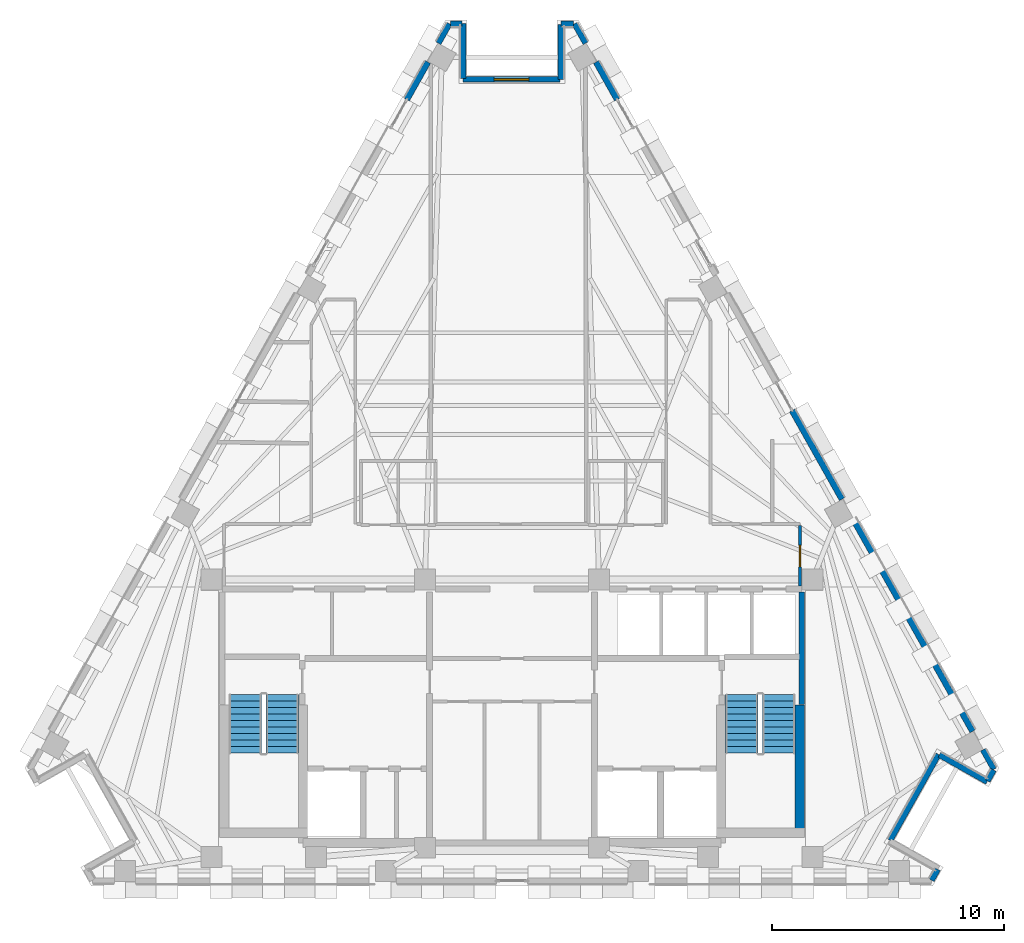
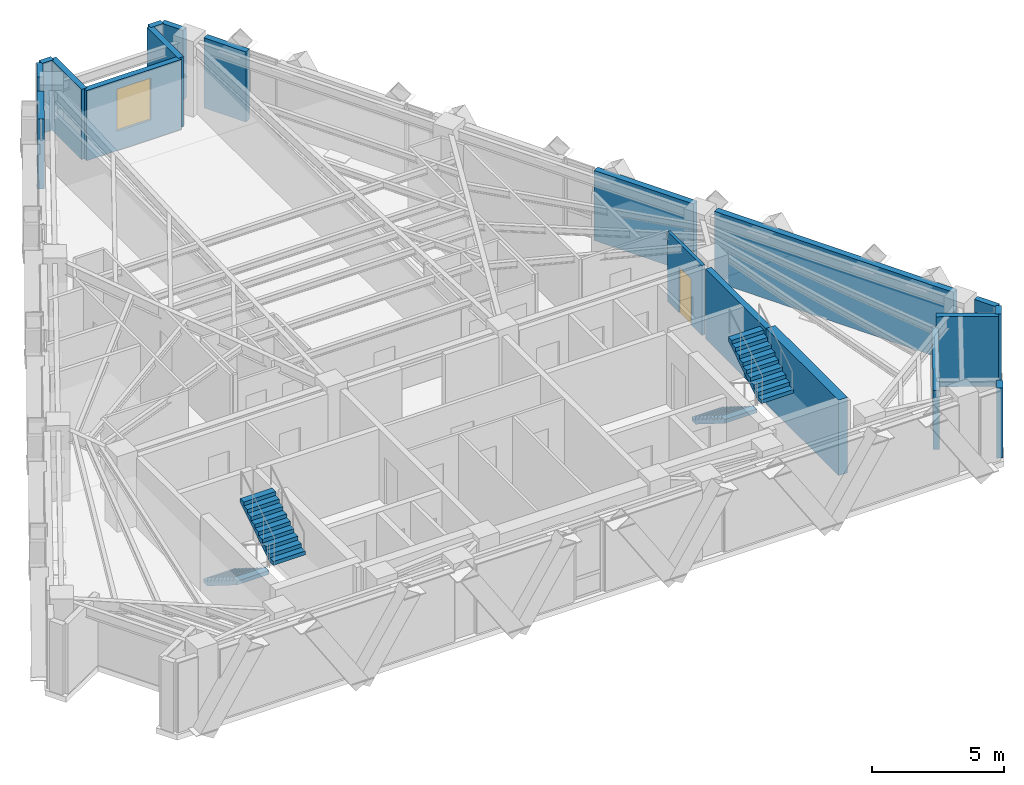
# One storey, part 9 of 12: 19 walls, 4 stair flights, 1 door, 1 window, 2 openings, 2 elements without a shape of their own.
"""IFC4 building model written with IfcOpenShell, lengths in metres."""

from ifc_helpers import new_model, si_unit, direction, frame, frame_2d, origin, place, context, subcontext, project, spatial, polyline, rectangle, outline, extrude, material, layer, layer_set, type_object, element, fill, aggregate, save


model = new_model("IFC4")

# Units and contexts
model_context = context("Model", 3, precision=1e-05, world=origin(), true_north=direction((0.0, 1.0)))
body_context = subcontext(model_context, "Body", "Model", "MODEL_VIEW")
ifc_project = project(units=[si_unit("LENGTHUNIT", "METRE"), si_unit("AREAUNIT", "SQUARE_METRE"), si_unit("VOLUMEUNIT", "CUBIC_METRE"), si_unit("PLANEANGLEUNIT", "RADIAN"), si_unit("MASSUNIT", "GRAM", prefix="KILO")], contexts=[model_context])

# Site, building, storey
site_placement = place(None, origin())
site = spatial("IfcSite", under=ifc_project, at=site_placement, CompositionType="ELEMENT")
building_placement = place(site_placement, origin())
building = spatial("IfcBuilding", under=site, at=building_placement, Name="Quenlor Broadcast Tower", CompositionType="ELEMENT")
storey_placement = place(building_placement, frame((0.0, 0.0, 200.89990234375)))
storey = spatial("IfcBuildingStorey", under=building, at=storey_placement, Name="L55", CompositionType="ELEMENT", Elevation=200.89990234375)

# Walls
ifc_material_1 = material(Name="Concrete C50/60", Category="concrete")
ifc_layer_1 = layer(ifc_material_1, 0.39990234375)
ifc_layer_set_1 = layer_set([ifc_layer_1], Name="Core Concrete C50/60 Shear Wall 400")
wall_type_1 = type_object("IfcWallType", Name="Core Concrete C50/60 Shear Wall 400", PredefinedType="SHEAR", material=ifc_layer_set_1)
wall_1_placement = place(storey_placement, frame((12.39990234375, -15.699951171875, 0.0), z_axis=(0.0, 0.0, 1.0), x_axis=(0.0, 1.0, 0.0)))
element("IfcWall", 1, at=wall_1_placement, inside=storey, type_object=wall_type_1, Name="L55 Core Shear Wall WF-E", PredefinedType="SHEAR", context=body_context, shape_type="SweptSolid", body=[
    extrude(rectangle(XDim=5.5, YDim=0.39990234375, at=frame_2d((2.75, 0.0))), origin(), (0.0, 0.0, 1.0), 3.5),
])
ifc_material_2 = material(Name="Concrete C40/50", Category="concrete")
ifc_layer_2 = layer(ifc_material_2, 0.25)
ifc_layer_set_2 = layer_set([ifc_layer_2], Name="Fire Rated Concrete C40/50 Core Wall 250")
wall_type_2 = type_object("IfcWallType", Name="Fire Rated Concrete C40/50 Core Wall 250", PredefinedType="PARTITIONING", material=ifc_layer_set_2)
wall_2_placement = place(storey_placement, frame((12.47998046875, -10.179931640625, 0.0), z_axis=(0.0, 0.0, 1.0), x_axis=(0.0, 1.0, 0.0)))
element("IfcWall", 2, at=wall_2_placement, inside=storey, type_object=wall_type_2, Name="L55 Interior Wall CW-ST2-E2", PredefinedType="PARTITIONING", context=body_context, shape_type="SweptSolid", body=[
    extrude(rectangle(XDim=4.83984375, YDim=0.25, at=frame_2d((2.419921875, 0.0))), origin(), (0.0, 0.0, 1.0), 3.25),
])

# Wall, opening, door
ifc_material_3 = material(Name="Gypsum Plasterboard Partition", Category="other")
ifc_layer_3 = layer(ifc_material_3, 0.1201171875)
ifc_layer_set_3 = layer_set([ifc_layer_3], Name="Standard Office Partition 120")
wall_type_3 = type_object("IfcWallType", Name="Standard Office Partition 120", PredefinedType="PARTITIONING", material=ifc_layer_set_3)
wall_3_placement = place(storey_placement, frame((12.409912109375, -2.4619140625, 0.0), z_axis=(0.0, 0.0, 1.0), x_axis=(0.0, -1.0, 0.0)))
wall_3 = element("IfcWall", 3, at=wall_3_placement, inside=storey, type_object=wall_type_3, Name="L55 Interior Wall PW-CR-13", PredefinedType="PARTITIONING", context=body_context, shape_type="SweptSolid", body=[
    extrude(rectangle(XDim=2.611083984375, YDim=0.1201171875, at=frame_2d((1.3056640625, 0.0))), origin(), (0.0, 0.0, 1.0), 3.25),
])
opening_1_placement = place(wall_3_placement, frame((0.863037109375, 0.0, 0.0)))
opening_1 = element("IfcOpeningElement", 4, at=opening_1_placement, cuts=wall_3, Name="Opening ID-1", PredefinedType="OPENING", context=body_context, shape_type="SweptSolid", body=[
    extrude(rectangle(XDim=0.919921875, YDim=2.1201171875, at=frame_2d((0.4599609375, 1.06005859375))), frame((0.0, 0.070068359375, 0.0), z_axis=(0.0, -1.0, 0.0), x_axis=(1.0, 0.0, 0.0)), (0.0, 0.0, 1.0), 0.14013671875),
])
ifc_material_4 = material(Name="Solid Core Timber Oak", Category="wood")
door_type = type_object("IfcDoorType", Name="Single Leaf Timber Office Door 920x2120", OperationType="NOTDEFINED", PredefinedType="DOOR", material=ifc_material_4)
door_placement = place(opening_1_placement, origin())
door = element("IfcDoor", 5, at=door_placement, inside=storey, type_object=door_type, Name="L55 Door DR-RM08", OperationType="SINGLE_SWING_LEFT", OverallHeight=2.1201171875, OverallWidth=0.919921875, PredefinedType="DOOR", context=body_context, shape_type="SweptSolid", body=[
    extrude(rectangle(XDim=0.919921875, YDim=2.1201171875, at=frame_2d((0.4599609375, 1.06005859375))), frame((0.0, 0.02490234375, 0.0), z_axis=(0.0, -1.0, 0.0), x_axis=(1.0, 0.0, 0.0)), (0.0, 0.0, 1.0), 0.050048828125),
])
fill(opening_1, door)

# Walls
ifc_material_5 = material(Name="Precast concrete C40/50", Category="concrete")
ifc_layer_4 = layer(ifc_material_5, 0.239990234375)
ifc_layer_set_4 = layer_set([ifc_layer_4], Name="Terrace Threshold Precast Concrete C40/50 Wall 240")
wall_type_4 = type_object("IfcWallType", Name="Terrace Threshold Precast Concrete C40/50 Wall 240", PredefinedType="STANDARD", material=ifc_layer_set_4)
for number, where, z_axis, x_axis, name in (
    (6, (2.6953125, 19.1494140625, 0.0), (0.0, 0.0, 1.0), (0.490345412687, -0.87152818443, 0.0), "L55 Exterior Wall L55-SHD-NES0"),
    (7, (20.289794921875, -12.1298828125, 0.0), (0.0, 0.0, 1.0), (0.490345412687, -0.87152818443, 0.0), "L55 Exterior Wall L55-SHD-NES1"),
    (8, (-3.16796875, 18.309326171875, 0.0), (0.0, 0.0, 1.0), (0.490345412687, 0.87152818443, 0.0), "L55 Exterior Wall L55-SHD-NWS1"),
):
    element("IfcWall", number, at=place(storey_placement, frame(where, z_axis=z_axis, x_axis=x_axis)), inside=storey, type_object=wall_type_4, Name=name, PredefinedType="STANDARD", context=body_context, shape_type="SweptSolid", body=[
        extrude(rectangle(XDim=0.9638671875, YDim=0.239990234375, at=frame_2d((0.48193359375, 0.0))), origin(), (0.0, 0.0, 1.0), 3.25),
    ])
wall_4_placement = place(storey_placement, frame((16.293701171875, -16.035400390625, 0.0), z_axis=(0.0, 0.0, 1.0), x_axis=(0.49027487746, 0.871567865706, 0.0)))
element("IfcWall", 9, at=wall_4_placement, inside=storey, type_object=wall_type_4, Name="L55 Exterior Wall L55-CNR-02", PredefinedType="STANDARD", context=body_context, shape_type="SweptSolid", body=[
    extrude(rectangle(XDim=4.249755859375, YDim=0.239990234375, at=frame_2d((2.125, 0.0))), origin(), (0.0, 0.0, 1.0), 2.721923828125),
])
wall_5_placement = place(storey_placement, frame((18.412109375, -12.351318359375, 0.0), z_axis=(0.0, 0.0, 1.0), x_axis=(0.871578299909, -0.490256327984, 0.0)))
element("IfcWall", 10, at=wall_5_placement, inside=storey, type_object=wall_type_4, Name="L55 Exterior Wall L55-CNR-03", PredefinedType="STANDARD", context=body_context, shape_type="SweptSolid", body=[
    extrude(rectangle(XDim=2.35986328125, YDim=0.239990234375, at=frame_2d((1.179931640625, 0.0))), origin(), (0.0, 0.0, 1.0), 3.25),
])
wall_6_placement = place(storey_placement, frame((20.48876953125, -13.473388671875, 0.0), z_axis=(0.0, 0.0, 1.0), x_axis=(0.490133374867, 0.87164744871, 0.0)))
element("IfcWall", 11, at=wall_6_placement, inside=storey, type_object=wall_type_4, Name="L55 Exterior Wall L55-CNR-04", PredefinedType="STANDARD", context=body_context, shape_type="SweptSolid", body=[
    extrude(rectangle(XDim=0.5439453125, YDim=0.239990234375, at=frame_2d((0.27197265625, 0.0))), origin(), (0.0, 0.0, 1.0), 3.25),
])
wall_7_placement = place(storey_placement, frame((2.658447265625, 19.152099609375, 0.0), z_axis=(0.0, 0.0, 1.0), x_axis=(-1.0, 0.0, 0.0)))
element("IfcWall", 12, at=wall_7_placement, inside=storey, type_object=wall_type_4, Name="L55 Exterior Wall L55-CNR-06", PredefinedType="STANDARD", context=body_context, shape_type="SweptSolid", body=[
    extrude(rectangle(XDim=0.55224609375, YDim=0.239990234375, at=frame_2d((0.276123046875, 0.0))), origin(), (0.0, 0.0, 1.0), 3.25),
])
wall_8_placement = place(storey_placement, frame((2.106201171875, 19.112060546875, 0.0), z_axis=(0.0, 0.0, 1.0), x_axis=(0.0, -1.0, 0.0)))
element("IfcWall", 13, at=wall_8_placement, inside=storey, type_object=wall_type_4, Name="L55 Exterior Wall L55-CNR-07", PredefinedType="STANDARD", context=body_context, shape_type="SweptSolid", body=[
    extrude(rectangle(XDim=2.360107421875, YDim=0.239990234375, at=frame_2d((1.18017578125, 0.0))), origin(), (0.0, 0.0, 1.0), 3.25),
])

# Wall, opening, window
wall_9_placement = place(storey_placement, frame((2.066162109375, 16.751953125, 0.0), z_axis=(0.0, 0.0, 1.0), x_axis=(-1.0, 0.0, 0.0)))
wall_9 = element("IfcWall", 14, at=wall_9_placement, inside=storey, type_object=wall_type_4, Name="L55 Exterior Wall L55-CNR-08", PredefinedType="STANDARD", context=body_context, shape_type="SweptSolid", body=[
    extrude(rectangle(XDim=4.17236328125, YDim=0.239990234375, at=frame_2d((2.086181640625, 0.0))), origin(), (0.0, 0.0, 1.0), 3.25),
])
opening_2_placement = place(wall_9_placement, frame((1.3359375, 0.0, 0.89990234375)))
opening_2 = element("IfcOpeningElement", 15, at=opening_2_placement, cuts=wall_9, Name="Opening WN-3", PredefinedType="OPENING", context=body_context, shape_type="SweptSolid", body=[
    extrude(rectangle(XDim=1.5, YDim=1.949951171875, at=frame_2d((0.75, 0.97509765625))), frame((0.0, 0.1298828125, 0.0), z_axis=(0.0, -1.0, 0.0), x_axis=(1.0, 0.0, 0.0)), (0.0, 0.0, 1.0), 0.260009765625),
])
ifc_material_6 = material(Name="Thermally Broken Aluminium and Low-E Glass", Category="aluminium")
window_type = type_object("IfcWindowType", Name="Upper Tower Facade Window 1500x1950", PartitioningType="SINGLE_PANEL", PredefinedType="WINDOW", material=ifc_material_6)
window_placement = place(opening_2_placement, origin())
window = element("IfcWindow", 16, at=window_placement, inside=storey, type_object=window_type, Name="L55 Corner Chamfer Window 8", OverallHeight=1.949951171875, OverallWidth=1.5, PartitioningType="SINGLE_PANEL", PredefinedType="WINDOW", context=body_context, shape_type="SweptSolid", body=[
    extrude(rectangle(XDim=1.5, YDim=1.949951171875, at=frame_2d((0.75, 0.97509765625))), frame((0.0, 0.030029296875, 0.0), z_axis=(0.0, -1.0, 0.0), x_axis=(1.0, 0.0, 0.0)), (0.0, 0.0, 1.0), 0.06005859375),
])
fill(opening_2, window)

# Walls
wall_10_placement = place(storey_placement, frame((-2.106201171875, 16.7919921875, 0.0), z_axis=(0.0, 0.0, 1.0), x_axis=(0.0, 1.0, 0.0)))
element("IfcWall", 17, at=wall_10_placement, inside=storey, type_object=wall_type_4, Name="L55 Exterior Wall L55-CNR-09", PredefinedType="STANDARD", context=body_context, shape_type="SweptSolid", body=[
    extrude(rectangle(XDim=2.360107421875, YDim=0.239990234375, at=frame_2d((1.18017578125, 0.0))), origin(), (0.0, 0.0, 1.0), 3.25),
])
wall_11_placement = place(storey_placement, frame((-2.146240234375, 19.152099609375, 0.0), z_axis=(0.0, 0.0, 1.0), x_axis=(-1.0, 0.0, 0.0)))
element("IfcWall", 18, at=wall_11_placement, inside=storey, type_object=wall_type_4, Name="L55 Exterior Wall L55-CNR-10", PredefinedType="STANDARD", context=body_context, shape_type="SweptSolid", body=[
    extrude(rectangle(XDim=0.51220703125, YDim=0.239990234375, at=frame_2d((0.256103515625, 0.0))), origin(), (0.0, 0.0, 1.0), 3.25),
])
wall_12_placement = place(storey_placement, frame((18.081298828125, -17.752685546875, 0.0), z_axis=(0.0, 0.0, 1.0), x_axis=(0.490582915772, 0.871394516136, 0.0)))
element("IfcWall", 19, at=wall_12_placement, inside=storey, type_object=wall_type_4, Name="L55 Exterior Wall L55-CNR-18", PredefinedType="STANDARD", context=body_context, shape_type="SweptSolid", body=[
    extrude(rectangle(XDim=0.54052734375, YDim=0.239990234375, at=frame_2d((0.270263671875, 0.0))), origin(), (0.0, 0.0, 1.0), 3.25),
])
ifc_material_7 = material(Name="Precast concrete C40/50", Category="concrete")
ifc_layer_5 = layer(ifc_material_7, 0.260009765625)
ifc_layer_set_5 = layer_set([ifc_layer_5], Name="Terracotta Precast Concrete C40/50 Upper Wall 260")
wall_type_5 = type_object("IfcWallType", Name="Terracotta Precast Concrete C40/50 Upper Wall 260", PredefinedType="STANDARD", material=ifc_layer_set_5)
wall_13_placement = place(storey_placement, frame((3.623779296875, 17.498779296875, 0.0), z_axis=(0.0, 0.0, 1.0), x_axis=(0.490261239633, -0.871575537125, 0.0)))
element("IfcWall", 20, at=wall_13_placement, inside=storey, type_object=wall_type_5, Name="L55 Exterior Wall L55-NEA-SP1", PredefinedType="STANDARD", context=body_context, shape_type="SweptSolid", body=[
    extrude(rectangle(XDim=1.85546875, YDim=0.260009765625, at=frame_2d((0.927734375, 0.0))), origin(), (0.0, 0.0, 1.0), 3.25),
])
wall_14_placement = place(storey_placement, frame((14.6708984375, -2.140380859375, 0.0), z_axis=(0.0, 0.0, 1.0), x_axis=(0.490246958575, -0.871583570066, 0.0)))
element("IfcWall", 21, at=wall_14_placement, inside=storey, type_object=wall_type_5, Name="L55 Exterior Wall L55-EW-NEC", PredefinedType="STANDARD", context=body_context, shape_type="SweptSolid", body=[
    extrude(rectangle(XDim=10.551513671875, YDim=0.260009765625, at=frame_2d((5.27587890625, 0.0))), origin(), (0.0, 0.0, 1.0), 3.25),
])
wall_15_placement = place(storey_placement, frame((12.066162109375, 2.489990234375, 0.0), z_axis=(0.0, 0.0, 1.0), x_axis=(0.490261239633, -0.871575537125, 0.0)))
element("IfcWall", 22, at=wall_15_placement, inside=storey, type_object=wall_type_5, Name="L55 Exterior Wall L55-NE-SP2", PredefinedType="STANDARD", context=body_context, shape_type="SweptSolid", body=[
    extrude(rectangle(XDim=4.3876953125, YDim=0.260009765625, at=frame_2d((2.19384765625, 0.0))), origin(), (0.0, 0.0, 1.0), 3.25),
])
wall_16_placement = place(storey_placement, frame((-4.533447265625, 15.881591796875, 0.0), z_axis=(0.0, 0.0, 1.0), x_axis=(0.490261239633, 0.871575537125, 0.0)))
element("IfcWall", 23, at=wall_16_placement, inside=storey, type_object=wall_type_5, Name="L55 Exterior Wall L55-NWC-SP3", PredefinedType="STANDARD", context=body_context, shape_type="SweptSolid", body=[
    extrude(rectangle(XDim=1.85546875, YDim=0.260009765625, at=frame_2d((0.927734375, 0.0))), origin(), (0.0, 0.0, 1.0), 3.25),
])

# Stair, stair flights
ifc_material_8 = material(Name="Precast concrete C40/50", Category="concrete")
stair_type = type_object("IfcStairType", Name="Precast Concrete C40/50 Dogleg Stair H350", PredefinedType="HALF_TURN_STAIR", material=ifc_material_8)
stair_1_placement = place(storey_placement, origin())
stair_1 = element("IfcStair", 24, at=stair_1_placement, inside=storey, type_object=stair_type, Name="L55 West Core Fire-Isolated Exit Stair ST-1", PredefinedType="HALF_TURN_STAIR")
ifc_material_9 = material(Name="Precast concrete C40/50", Category="concrete")
ifc_layer_6 = layer(ifc_material_9, 0.159912109375)
ifc_layer_set_6 = layer_set([ifc_layer_6], Name="Precast Concrete C40/50 Stair Flight H350")
stair_flight_type = type_object("IfcStairFlightType", Name="Precast Concrete C40/50 Stair Flight H350", PredefinedType="STRAIGHT", material=ifc_layer_set_6)
stair_flight_1_placement = place(storey_placement, frame((-11.5, -9.75, 0.0), z_axis=(0.0, 0.0, 1.0), x_axis=(0.0, -1.0, 0.0)))
stair_flight_1 = element("IfcStairFlight", 25, at=stair_flight_1_placement, type_object=stair_flight_type, Name="ST-1 flight 1", NumberOfRisers=10, NumberOfTreads=9, PredefinedType="STRAIGHT", RiserHeight=0.175, TreadLength=0.28, context=body_context, shape_type="SweptSolid", body=[
    extrude(outline(polyline([(0.0, 0.0), (0.0, 0.175048828125), (0.280029296875, 0.175048828125), (0.280029296875, 0.35009765625), (0.56005859375, 0.35009765625), (0.56005859375, 0.52490234375), (0.840087890625, 0.52490234375), (0.840087890625, 0.699951171875), (1.1201171875, 0.699951171875), (1.1201171875, 0.875), (1.39990234375, 0.875), (1.39990234375, 1.050048828125), (1.679931640625, 1.050048828125), (1.679931640625, 1.22509765625), (1.9599609375, 1.22509765625), (1.9599609375, 1.39990234375), (2.239990234375, 1.39990234375), (2.239990234375, 1.574951171875), (2.52001953125, 1.574951171875), (2.52001953125, 1.75), (2.52001953125, 1.398193359375), (0.28271484375, 0.0), (0.0, 0.0)])), frame((0.0, 0.699951171875, 0.0), z_axis=(0.0, -1.0, 0.0), x_axis=(1.0, 0.0, 0.0)), (0.0, 0.0, 1.0), 1.39990234375),
])
stair_flight_2_placement = place(storey_placement, frame((-9.89990234375, -12.27001953125, 1.75), z_axis=(0.0, 0.0, 1.0), x_axis=(0.0, 1.0, 0.0)))
stair_flight_2 = element("IfcStairFlight", 26, at=stair_flight_2_placement, type_object=stair_flight_type, Name="ST-1 flight 2", NumberOfRisers=10, NumberOfTreads=9, PredefinedType="STRAIGHT", RiserHeight=0.175, TreadLength=0.28, context=body_context, shape_type="SweptSolid", body=[
    extrude(outline(polyline([(0.0, 0.0), (0.0, 0.175048828125), (0.280029296875, 0.175048828125), (0.280029296875, 0.35009765625), (0.56005859375, 0.35009765625), (0.56005859375, 0.52490234375), (0.840087890625, 0.52490234375), (0.840087890625, 0.699951171875), (1.1201171875, 0.699951171875), (1.1201171875, 0.875), (1.39990234375, 0.875), (1.39990234375, 1.050048828125), (1.679931640625, 1.050048828125), (1.679931640625, 1.22509765625), (1.9599609375, 1.22509765625), (1.9599609375, 1.39990234375), (2.239990234375, 1.39990234375), (2.239990234375, 1.574951171875), (2.52001953125, 1.574951171875), (2.52001953125, 1.75), (2.52001953125, 1.398193359375), (0.28271484375, 0.0), (0.0, 0.0)])), frame((0.0, 0.699951171875, 0.0), z_axis=(0.0, -1.0, 0.0), x_axis=(1.0, 0.0, 0.0)), (0.0, 0.0, 1.0), 1.39990234375),
])
aggregate(stair_1, [stair_flight_1, stair_flight_2])

stair_2_placement = place(storey_placement, origin())
stair_2 = element("IfcStair", 27, at=stair_2_placement, inside=storey, type_object=stair_type, Name="L55 East Core Fire-Isolated Exit Stair ST-2", PredefinedType="HALF_TURN_STAIR")
stair_flight_3_placement = place(storey_placement, frame((9.89990234375, -9.75, 0.0), z_axis=(0.0, 0.0, 1.0), x_axis=(0.0, -1.0, 0.0)))
stair_flight_3 = element("IfcStairFlight", 28, at=stair_flight_3_placement, type_object=stair_flight_type, Name="ST-2 flight 1", NumberOfRisers=10, NumberOfTreads=9, PredefinedType="STRAIGHT", RiserHeight=0.175, TreadLength=0.28, context=body_context, shape_type="SweptSolid", body=[
    extrude(outline(polyline([(0.0, 0.0), (0.0, 0.175048828125), (0.280029296875, 0.175048828125), (0.280029296875, 0.35009765625), (0.56005859375, 0.35009765625), (0.56005859375, 0.52490234375), (0.840087890625, 0.52490234375), (0.840087890625, 0.699951171875), (1.1201171875, 0.699951171875), (1.1201171875, 0.875), (1.39990234375, 0.875), (1.39990234375, 1.050048828125), (1.679931640625, 1.050048828125), (1.679931640625, 1.22509765625), (1.9599609375, 1.22509765625), (1.9599609375, 1.39990234375), (2.239990234375, 1.39990234375), (2.239990234375, 1.574951171875), (2.52001953125, 1.574951171875), (2.52001953125, 1.75), (2.52001953125, 1.398193359375), (0.28271484375, 0.0), (0.0, 0.0)])), frame((0.0, 0.699951171875, 0.0), z_axis=(0.0, -1.0, 0.0), x_axis=(1.0, 0.0, 0.0)), (0.0, 0.0, 1.0), 1.39990234375),
])
stair_flight_4_placement = place(storey_placement, frame((11.5, -12.27001953125, 1.75), z_axis=(0.0, 0.0, 1.0), x_axis=(0.0, 1.0, 0.0)))
stair_flight_4 = element("IfcStairFlight", 29, at=stair_flight_4_placement, type_object=stair_flight_type, Name="ST-2 flight 2", NumberOfRisers=10, NumberOfTreads=9, PredefinedType="STRAIGHT", RiserHeight=0.175, TreadLength=0.28, context=body_context, shape_type="SweptSolid", body=[
    extrude(outline(polyline([(0.0, 0.0), (0.0, 0.175048828125), (0.280029296875, 0.175048828125), (0.280029296875, 0.35009765625), (0.56005859375, 0.35009765625), (0.56005859375, 0.52490234375), (0.840087890625, 0.52490234375), (0.840087890625, 0.699951171875), (1.1201171875, 0.699951171875), (1.1201171875, 0.875), (1.39990234375, 0.875), (1.39990234375, 1.050048828125), (1.679931640625, 1.050048828125), (1.679931640625, 1.22509765625), (1.9599609375, 1.22509765625), (1.9599609375, 1.39990234375), (2.239990234375, 1.39990234375), (2.239990234375, 1.574951171875), (2.52001953125, 1.574951171875), (2.52001953125, 1.75), (2.52001953125, 1.398193359375), (0.28271484375, 0.0), (0.0, 0.0)])), frame((0.0, 0.699951171875, 0.0), z_axis=(0.0, -1.0, 0.0), x_axis=(1.0, 0.0, 0.0)), (0.0, 0.0, 1.0), 1.39990234375),
])
aggregate(stair_2, [stair_flight_3, stair_flight_4])

save(model, "model.ifc")
